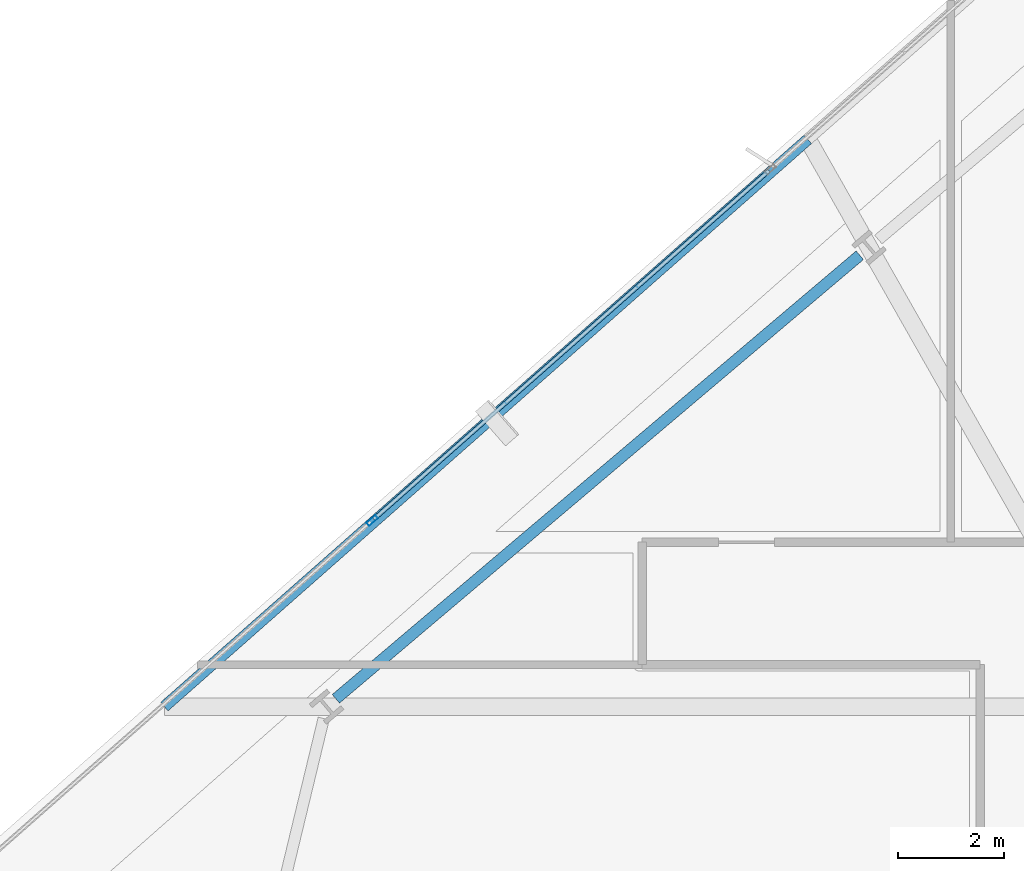
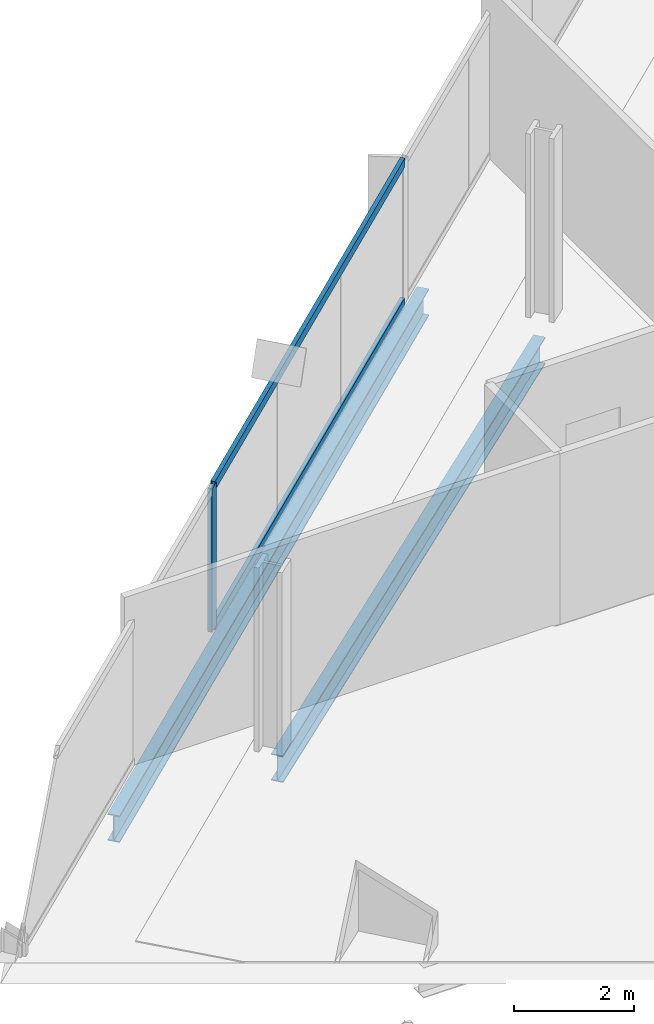
# One storey, part 16 of 34: 3 members, 2 beams, 1 element without a shape of its own.
"""IFC4 building model written with IfcOpenShell, lengths in metres."""

from ifc_helpers import new_model, si_unit, direction, frame, origin, origin_2d, place, context, subcontext, project, spatial, hollow_rectangle, i_section, extrude, material, material_profile, profile_set, type_object, element, aggregate, save


model = new_model("IFC4")

# Units and contexts
model_context = context("Model", 3, precision=1e-05, world=origin(), true_north=direction((0.0, 1.0)))
body_context = subcontext(model_context, "Body", "Model", "MODEL_VIEW")
ifc_project = project(units=[si_unit("LENGTHUNIT", "METRE"), si_unit("AREAUNIT", "SQUARE_METRE"), si_unit("VOLUMEUNIT", "CUBIC_METRE"), si_unit("PLANEANGLEUNIT", "RADIAN"), si_unit("MASSUNIT", "GRAM", prefix="KILO")], contexts=[model_context])

# Site, building, storey
site_placement = place(None, origin())
site = spatial("IfcSite", under=ifc_project, at=site_placement, CompositionType="ELEMENT")
building_placement = place(site_placement, origin())
building = spatial("IfcBuilding", under=site, at=building_placement, Name="Haldenkirk Collegiate Tower", CompositionType="ELEMENT")
storey_placement = place(building_placement, frame((0.0, 0.0, 166.949951171875)))
storey = spatial("IfcBuildingStorey", under=building, at=storey_placement, Name="L41", CompositionType="ELEMENT", Elevation=166.949951171875)

# Beams
ifc_material_1 = material(Name="Steel ASTM A992 Grade 50", Category="steel")
ifc_material_profile_1 = material_profile(ifc_material_1, i_section(OverallWidth=0.2119140625, OverallDepth=0.5439453125, WebThickness=0.01318359375, FlangeThickness=0.021240234375, at=origin_2d()), Name="W21X83")
ifc_profile_set_1 = profile_set([ifc_material_profile_1], Name="Steel ASTM A992 Grade 50")
beam_type = type_object("IfcBeamType", Name="BM-SPANDREL-W21X83", PredefinedType="SPANDREL", material=ifc_profile_set_1)
beam_1_placement = place(storey_placement, frame((22.288818359375, 41.841796875, -0.56201171875), z_axis=(-0.76322543275, -0.64613229203, 0.0), x_axis=(0.64613229203, -0.76322543275, 0.0)))
element("IfcBeam", 1, at=beam_1_placement, inside=storey, type_object=beam_type, Name="L41 perimeter spandrel beam 11", PredefinedType="SPANDREL", context=body_context, shape_type="SweptSolid", body=[
    extrude(i_section(OverallWidth=0.2119140625, OverallDepth=0.5439453125, WebThickness=0.01318359375, FlangeThickness=0.021240234375, at=origin_2d()), origin(), (0.0, 0.0, 1.0), 12.89794921875),
])
beam_2_placement = place(storey_placement, frame((21.3115234375, 44.01904296875, -0.56201171875), z_axis=(-0.750114946237, -0.661307468151, 0.0), x_axis=(0.661307468151, -0.750114946237, 0.0)))
element("IfcBeam", 2, at=beam_2_placement, inside=storey, type_object=beam_type, Name="L41 outer facade edge beam 3B", PredefinedType="SPANDREL", context=body_context, shape_type="SweptSolid", body=[
    extrude(i_section(OverallWidth=0.2119140625, OverallDepth=0.5439453125, WebThickness=0.01318359375, FlangeThickness=0.021240234375, at=origin_2d()), origin(), (0.0, 0.0, 1.0), 16.117919921875),
])

# Curtain wall, members
ifc_material_2 = material(Name="Anodised architectural bronze aluminium", Category="aluminium")
curtain_wall_type = type_object("IfcCurtainWallType", Name="CW-SYS1-CONVEX-LOW", PredefinedType="USERDEFINED", material=ifc_material_2)
curtain_wall_placement = place(storey_placement, origin())
curtain_wall = element("IfcCurtainWall", 3, at=curtain_wall_placement, inside=storey, type_object=curtain_wall_type, Name="L41 Lower tower convex bronze-framed unitised curtain wall", ObjectType="UNITISED CURTAIN WALL", PredefinedType="USERDEFINED")
ifc_material_profile_2 = material_profile(ifc_material_2, hollow_rectangle(XDim=0.080078125, YDim=0.219970703125, WallThickness=0.0048828125, at=origin_2d()), Name="CW-MUL-1A")
ifc_profile_set_2 = profile_set([ifc_material_profile_2], Name="Anodised architectural bronze aluminium")
member_type_1 = type_object("IfcMemberType", Name="CW-MUL-1A", PredefinedType="MULLION", material=ifc_profile_set_2)
member_1_placement = place(storey_placement, frame((13.12890625, 36.858642578125, 0.0), z_axis=(0.0, 0.0, 1.0), x_axis=(-0.661310403519, 0.750112358382, 0.0)))
member_1 = element("IfcMember", 4, at=member_1_placement, type_object=member_type_1, Name="CW-1A mullion 2", PredefinedType="MULLION", context=body_context, shape_type="SweptSolid", body=[
    extrude(hollow_rectangle(XDim=0.080078125, YDim=0.219970703125, WallThickness=0.0048828125, at=origin_2d()), origin(), (0.0, 0.0, 1.0), 2.9111328125),
])
ifc_material_profile_3 = material_profile(ifc_material_2, hollow_rectangle(XDim=0.080078125, YDim=0.179931640625, WallThickness=0.0048828125, at=origin_2d()), Name="CW-TRN-1A")
ifc_profile_set_3 = profile_set([ifc_material_profile_3], Name="Anodised architectural bronze aluminium")
member_type_2 = type_object("IfcMemberType", Name="CW-TRN-1A", PredefinedType="USERDEFINED", material=ifc_profile_set_3)
member_2_placement = place(storey_placement, frame((13.158935546875, 36.885009765625, 0.0400390625), z_axis=(0.750110683421, 0.661312303392, 0.0), x_axis=(-0.661312303392, 0.750110683421, 0.0)))
member_2 = element("IfcMember", 5, at=member_2_placement, type_object=member_type_2, Name="CW-1A transom 2.1", ObjectType="TRANSOM", PredefinedType="USERDEFINED", context=body_context, shape_type="SweptSolid", body=[
    extrude(hollow_rectangle(XDim=0.080078125, YDim=0.179931640625, WallThickness=0.0048828125, at=origin_2d()), origin(), (0.0, 0.0, 1.0), 9.89501953125),
])
member_3_placement = place(storey_placement, frame((13.158935546875, 36.885009765625, 2.87109375), z_axis=(0.750110683421, 0.661312303392, 0.0), x_axis=(-0.661312303392, 0.750110683421, 0.0)))
member_3 = element("IfcMember", 6, at=member_3_placement, type_object=member_type_2, Name="CW-1A transom 2.2", ObjectType="TRANSOM", PredefinedType="USERDEFINED", context=body_context, shape_type="SweptSolid", body=[
    extrude(hollow_rectangle(XDim=0.080078125, YDim=0.179931640625, WallThickness=0.0048828125, at=origin_2d()), origin(), (0.0, 0.0, 1.0), 9.89501953125),
])
aggregate(curtain_wall, [member_1, member_2, member_3])

save(model, "model.ifc")
